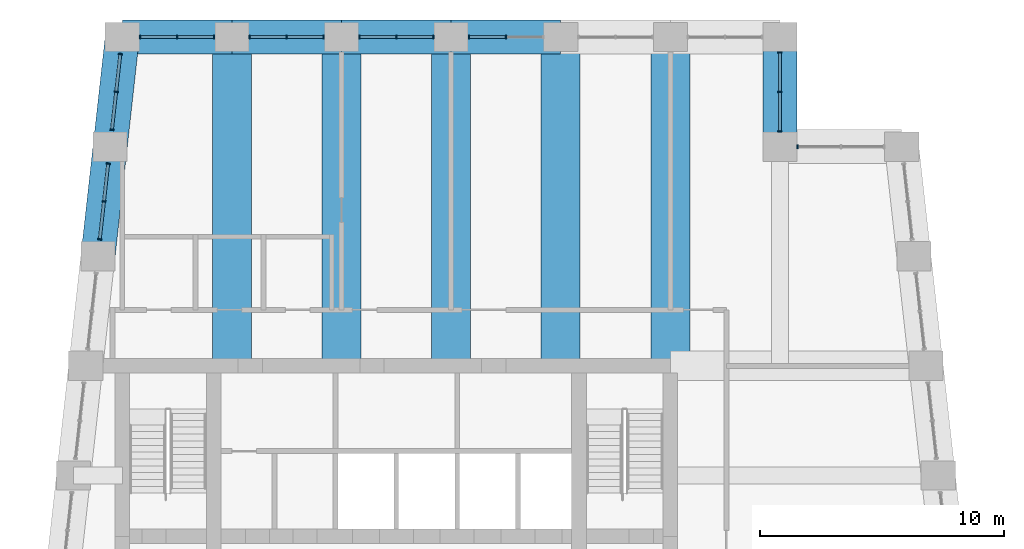
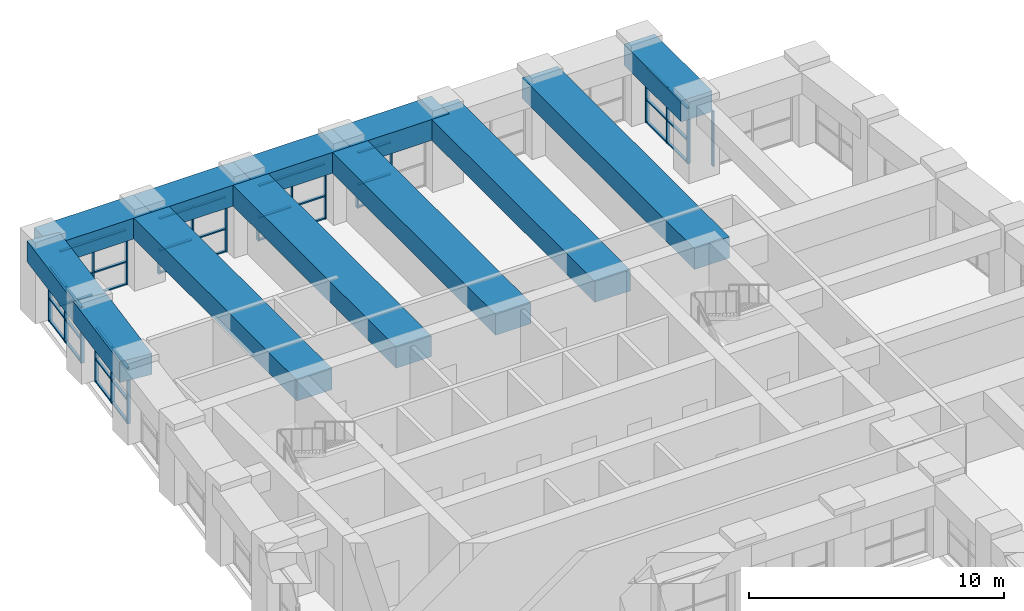
# One storey, part 8 of 15: 60 members, 12 beams, 8 elements without a shape of their own.
"""IFC4 building model written with IfcOpenShell, lengths in metres."""

from ifc_helpers import new_model, si_unit, direction, frame, origin, origin_2d, place, context, subcontext, project, spatial, rectangle, extrude, material, material_profile, profile_set, type_object, element, aggregate, save


model = new_model("IFC4")

# Units and contexts
model_context = context("Model", 3, precision=1e-05, world=origin(), true_north=direction((0.0, 1.0)))
body_context = subcontext(model_context, "Body", "Model", "MODEL_VIEW")
ifc_project = project(units=[si_unit("LENGTHUNIT", "METRE"), si_unit("AREAUNIT", "SQUARE_METRE"), si_unit("VOLUMEUNIT", "CUBIC_METRE"), si_unit("PLANEANGLEUNIT", "RADIAN"), si_unit("MASSUNIT", "GRAM", prefix="KILO")], contexts=[model_context])

# Site, building, storey
site_placement = place(None, origin())
site = spatial("IfcSite", under=ifc_project, at=site_placement, CompositionType="ELEMENT")
building_placement = place(site_placement, origin())
building = spatial("IfcBuilding", under=site, at=building_placement, Name="Kilele Tower Hotel", CompositionType="ELEMENT")
storey_placement = place(building_placement, frame((0.0, 0.0, 285.800048828125)))
storey = spatial("IfcBuildingStorey", under=building, at=storey_placement, Name="L73", CompositionType="ELEMENT", Elevation=285.800048828125)

# Beams
ifc_material_1 = material(Name="Concrete C60/75", Category="concrete")
ifc_material_profile_1 = material_profile(ifc_material_1, rectangle(XDim=1.60009765625, YDim=1.0, at=origin_2d()))
ifc_profile_set_1 = profile_set([ifc_material_profile_1], Name="Concrete C60/75")
beam_type_1 = type_object("IfcBeamType", Name="Beam RC 1600x1000 C60/75", PredefinedType="BEAM", material=ifc_profile_set_1)
for number, where, z_axis, x_axis, name in (
    (1, (36.0, 40.5, 3.099853515625), (0.0, -1.0, 0.0), (1.0, 0.0, 0.0), "Beam BC1 level CROWN"),
    (2, (31.5, 40.5, 3.099853515625), (0.0, -1.0, 0.0), (1.0, 0.0, 0.0), "Beam BC1 level CROWN"),
    (3, (27.0, 40.5, 3.099853515625), (0.0, -1.0, 0.0), (1.0, 0.0, 0.0), "Beam BC1 level CROWN"),
    (4, (22.5, 40.5, 3.099853515625), (0.0, -1.0, 0.0), (1.0, 0.0, 0.0), "Beam BC1 level CROWN"),
    (5, (18.0, 40.5, 3.099853515625), (0.0, -1.0, 0.0), (1.0, 0.0, 0.0), "Beam BC1 level CROWN"),
):
    element("IfcBeam", number, at=place(storey_placement, frame(where, z_axis=z_axis, x_axis=x_axis)), inside=storey, type_object=beam_type_1, Name=name, PredefinedType="BEAM", context=body_context, shape_type="SweptSolid", body=[
        extrude(rectangle(XDim=1.60009765625, YDim=1.0, at=origin_2d()), origin(), (0.0, 0.0, 1.0), 13.5),
    ])

# Curtain wall, member
ifc_material_2 = material(Name="Aluminium curtain wall, clear double glazing", Category="aluminium")
curtain_wall_type = type_object("IfcCurtainWallType", Name="Sky bar curtain wall CW-6", PredefinedType="NOTDEFINED", material=ifc_material_2)
curtain_wall_1_placement = place(storey_placement, origin())
curtain_wall_1 = element("IfcCurtainWall", 6, at=curtain_wall_1_placement, inside=storey, type_object=curtain_wall_type, Name="Sky bar curtain wall CW-6 L73", PredefinedType="NOTDEFINED")
ifc_material_3 = material(Name="Aluminium EN AW-6063 T6", Category="aluminium")
ifc_material_profile_2 = material_profile(ifc_material_3, rectangle(XDim=0.159912109375, YDim=0.06005859375, at=origin_2d()))
ifc_profile_set_2 = profile_set([ifc_material_profile_2], Name="Aluminium EN AW-6063 T6")
member_type_1 = type_object("IfcMemberType", Name="Mullion 60x160 CW-6", PredefinedType="MULLION", material=ifc_profile_set_2)
member_1_placement = place(storey_placement, frame((41.22998046875, 36.0, 0.0), z_axis=(0.0, 0.0, 1.0), x_axis=(0.0, -1.0, 0.0)))
member_1 = element("IfcMember", 7, at=member_1_placement, type_object=member_type_1, Name="CW-6 mullion 3", PredefinedType="MULLION", context=body_context, shape_type="SweptSolid", body=[
    extrude(rectangle(XDim=0.159912109375, YDim=0.06005859375, at=origin_2d()), origin(), (0.0, 0.0, 1.0), 2.64990234375),
])
aggregate(curtain_wall_1, [member_1])

# Curtain wall, members
curtain_wall_2_placement = place(storey_placement, origin())
curtain_wall_2 = element("IfcCurtainWall", 8, at=curtain_wall_2_placement, inside=storey, type_object=curtain_wall_type, Name="Sky bar curtain wall CW-6 L73", PredefinedType="NOTDEFINED")
member_2_placement = place(storey_placement, frame((40.5, 36.6298828125, 0.0), z_axis=(0.0, 0.0, 1.0), x_axis=(-1.0, 0.0, 0.0)))
member_2 = element("IfcMember", 9, at=member_2_placement, type_object=member_type_1, Name="CW-6 mullion 1", PredefinedType="MULLION", context=body_context, shape_type="SweptSolid", body=[
    extrude(rectangle(XDim=0.159912109375, YDim=0.06005859375, at=origin_2d()), origin(), (0.0, 0.0, 1.0), 2.64990234375),
])
member_3_placement = place(storey_placement, frame((40.5, 38.25, 0.0), z_axis=(0.0, 0.0, 1.0), x_axis=(-1.0, 0.0, 0.0)))
member_3 = element("IfcMember", 10, at=member_3_placement, type_object=member_type_1, Name="CW-6 mullion 2", PredefinedType="MULLION", context=body_context, shape_type="SweptSolid", body=[
    extrude(rectangle(XDim=0.159912109375, YDim=0.06005859375, at=origin_2d()), origin(), (0.0, 0.0, 1.0), 2.64990234375),
])
member_4_placement = place(storey_placement, frame((40.5, 39.8701171875, 0.0), z_axis=(0.0, 0.0, 1.0), x_axis=(-1.0, 0.0, 0.0)))
member_4 = element("IfcMember", 11, at=member_4_placement, type_object=member_type_1, Name="CW-6 mullion 3", PredefinedType="MULLION", context=body_context, shape_type="SweptSolid", body=[
    extrude(rectangle(XDim=0.159912109375, YDim=0.06005859375, at=origin_2d()), origin(), (0.0, 0.0, 1.0), 2.64990234375),
])

curtain_wall_3_placement = place(storey_placement, origin())
curtain_wall_3 = element("IfcCurtainWall", 12, at=curtain_wall_3_placement, inside=storey, type_object=curtain_wall_type, Name="Sky bar curtain wall CW-6 L73", PredefinedType="NOTDEFINED")
member_5_placement = place(storey_placement, frame((29.25, 40.5, 0.0), z_axis=(0.0, 0.0, 1.0), x_axis=(0.0, -1.0, 0.0)))
member_5 = element("IfcMember", 13, at=member_5_placement, type_object=member_type_1, Name="CW-6 mullion 2", PredefinedType="MULLION", context=body_context, shape_type="SweptSolid", body=[
    extrude(rectangle(XDim=0.159912109375, YDim=0.06005859375, at=origin_2d()), origin(), (0.0, 0.0, 1.0), 2.64990234375),
])
member_6_placement = place(storey_placement, frame((27.72998046875, 40.5, 0.0), z_axis=(0.0, 0.0, 1.0), x_axis=(0.0, -1.0, 0.0)))
member_6 = element("IfcMember", 14, at=member_6_placement, type_object=member_type_1, Name="CW-6 mullion 3", PredefinedType="MULLION", context=body_context, shape_type="SweptSolid", body=[
    extrude(rectangle(XDim=0.159912109375, YDim=0.06005859375, at=origin_2d()), origin(), (0.0, 0.0, 1.0), 2.64990234375),
])

curtain_wall_4_placement = place(storey_placement, origin())
curtain_wall_4 = element("IfcCurtainWall", 15, at=curtain_wall_4_placement, inside=storey, type_object=curtain_wall_type, Name="Sky bar curtain wall CW-6 L73", PredefinedType="NOTDEFINED")
member_7_placement = place(storey_placement, frame((26.27001953125, 40.5, 0.0), z_axis=(0.0, 0.0, 1.0), x_axis=(0.0, -1.0, 0.0)))
member_7 = element("IfcMember", 16, at=member_7_placement, type_object=member_type_1, Name="CW-6 mullion 1", PredefinedType="MULLION", context=body_context, shape_type="SweptSolid", body=[
    extrude(rectangle(XDim=0.159912109375, YDim=0.06005859375, at=origin_2d()), origin(), (0.0, 0.0, 1.0), 2.64990234375),
])
member_8_placement = place(storey_placement, frame((24.75, 40.5, 0.0), z_axis=(0.0, 0.0, 1.0), x_axis=(0.0, -1.0, 0.0)))
member_8 = element("IfcMember", 17, at=member_8_placement, type_object=member_type_1, Name="CW-6 mullion 2", PredefinedType="MULLION", context=body_context, shape_type="SweptSolid", body=[
    extrude(rectangle(XDim=0.159912109375, YDim=0.06005859375, at=origin_2d()), origin(), (0.0, 0.0, 1.0), 2.64990234375),
])
member_9_placement = place(storey_placement, frame((23.22998046875, 40.5, 0.0), z_axis=(0.0, 0.0, 1.0), x_axis=(0.0, -1.0, 0.0)))
member_9 = element("IfcMember", 18, at=member_9_placement, type_object=member_type_1, Name="CW-6 mullion 3", PredefinedType="MULLION", context=body_context, shape_type="SweptSolid", body=[
    extrude(rectangle(XDim=0.159912109375, YDim=0.06005859375, at=origin_2d()), origin(), (0.0, 0.0, 1.0), 2.64990234375),
])

curtain_wall_5_placement = place(storey_placement, origin())
curtain_wall_5 = element("IfcCurtainWall", 19, at=curtain_wall_5_placement, inside=storey, type_object=curtain_wall_type, Name="Sky bar curtain wall CW-6 L73", PredefinedType="NOTDEFINED")
member_10_placement = place(storey_placement, frame((21.77001953125, 40.5, 0.0), z_axis=(0.0, 0.0, 1.0), x_axis=(0.0, -1.0, 0.0)))
member_10 = element("IfcMember", 20, at=member_10_placement, type_object=member_type_1, Name="CW-6 mullion 1", PredefinedType="MULLION", context=body_context, shape_type="SweptSolid", body=[
    extrude(rectangle(XDim=0.159912109375, YDim=0.06005859375, at=origin_2d()), origin(), (0.0, 0.0, 1.0), 2.64990234375),
])
member_11_placement = place(storey_placement, frame((20.25, 40.5, 0.0), z_axis=(0.0, 0.0, 1.0), x_axis=(0.0, -1.0, 0.0)))
member_11 = element("IfcMember", 21, at=member_11_placement, type_object=member_type_1, Name="CW-6 mullion 2", PredefinedType="MULLION", context=body_context, shape_type="SweptSolid", body=[
    extrude(rectangle(XDim=0.159912109375, YDim=0.06005859375, at=origin_2d()), origin(), (0.0, 0.0, 1.0), 2.64990234375),
])
member_12_placement = place(storey_placement, frame((18.72998046875, 40.5, 0.0), z_axis=(0.0, 0.0, 1.0), x_axis=(0.0, -1.0, 0.0)))
member_12 = element("IfcMember", 22, at=member_12_placement, type_object=member_type_1, Name="CW-6 mullion 3", PredefinedType="MULLION", context=body_context, shape_type="SweptSolid", body=[
    extrude(rectangle(XDim=0.159912109375, YDim=0.06005859375, at=origin_2d()), origin(), (0.0, 0.0, 1.0), 2.64990234375),
])

curtain_wall_6_placement = place(storey_placement, origin())
curtain_wall_6 = element("IfcCurtainWall", 23, at=curtain_wall_6_placement, inside=storey, type_object=curtain_wall_type, Name="Sky bar curtain wall CW-6 L73", PredefinedType="NOTDEFINED")
member_13_placement = place(storey_placement, frame((17.27001953125, 40.5, 0.0), z_axis=(0.0, 0.0, 1.0), x_axis=(0.0, -1.0, 0.0)))
member_13 = element("IfcMember", 24, at=member_13_placement, type_object=member_type_1, Name="CW-6 mullion 1", PredefinedType="MULLION", context=body_context, shape_type="SweptSolid", body=[
    extrude(rectangle(XDim=0.159912109375, YDim=0.06005859375, at=origin_2d()), origin(), (0.0, 0.0, 1.0), 2.64990234375),
])
member_14_placement = place(storey_placement, frame((15.75, 40.5, 0.0), z_axis=(0.0, 0.0, 1.0), x_axis=(0.0, -1.0, 0.0)))
member_14 = element("IfcMember", 25, at=member_14_placement, type_object=member_type_1, Name="CW-6 mullion 2", PredefinedType="MULLION", context=body_context, shape_type="SweptSolid", body=[
    extrude(rectangle(XDim=0.159912109375, YDim=0.06005859375, at=origin_2d()), origin(), (0.0, 0.0, 1.0), 2.64990234375),
])
member_15_placement = place(storey_placement, frame((14.22998046875, 40.5, 0.0), z_axis=(0.0, 0.0, 1.0), x_axis=(0.0, -1.0, 0.0)))
member_15 = element("IfcMember", 26, at=member_15_placement, type_object=member_type_1, Name="CW-6 mullion 3", PredefinedType="MULLION", context=body_context, shape_type="SweptSolid", body=[
    extrude(rectangle(XDim=0.159912109375, YDim=0.06005859375, at=origin_2d()), origin(), (0.0, 0.0, 1.0), 2.64990234375),
])

curtain_wall_7_placement = place(storey_placement, origin())
curtain_wall_7 = element("IfcCurtainWall", 27, at=curtain_wall_7_placement, inside=storey, type_object=curtain_wall_type, Name="Sky bar curtain wall CW-6 L73", PredefinedType="NOTDEFINED")
member_16_placement = place(storey_placement, frame((13.42236328125, 39.80078125, 0.0), z_axis=(0.0, 0.0, 1.0), x_axis=(0.993883734681, -0.110431526007, 0.0)))
member_16 = element("IfcMember", 28, at=member_16_placement, type_object=member_type_1, Name="CW-6 mullion 1", PredefinedType="MULLION", context=body_context, shape_type="SweptSolid", body=[
    extrude(rectangle(XDim=0.159912109375, YDim=0.06005859375, at=origin_2d()), origin(), (0.0, 0.0, 1.0), 2.64990234375),
])
member_17_placement = place(storey_placement, frame((13.25, 38.25, 0.0), z_axis=(0.0, 0.0, 1.0), x_axis=(0.993883734681, -0.110431526007, 0.0)))
member_17 = element("IfcMember", 29, at=member_17_placement, type_object=member_type_1, Name="CW-6 mullion 2", PredefinedType="MULLION", context=body_context, shape_type="SweptSolid", body=[
    extrude(rectangle(XDim=0.159912109375, YDim=0.06005859375, at=origin_2d()), origin(), (0.0, 0.0, 1.0), 2.64990234375),
])
member_18_placement = place(storey_placement, frame((13.07763671875, 36.69921875, 0.0), z_axis=(0.0, 0.0, 1.0), x_axis=(0.993883734681, -0.110431526007, 0.0)))
member_18 = element("IfcMember", 30, at=member_18_placement, type_object=member_type_1, Name="CW-6 mullion 3", PredefinedType="MULLION", context=body_context, shape_type="SweptSolid", body=[
    extrude(rectangle(XDim=0.159912109375, YDim=0.06005859375, at=origin_2d()), origin(), (0.0, 0.0, 1.0), 2.64990234375),
])

curtain_wall_8_placement = place(storey_placement, origin())
curtain_wall_8 = element("IfcCurtainWall", 31, at=curtain_wall_8_placement, inside=storey, type_object=curtain_wall_type, Name="Sky bar curtain wall CW-6 L73", PredefinedType="NOTDEFINED")
member_19_placement = place(storey_placement, frame((12.92236328125, 35.30078125, 0.0), z_axis=(0.0, 0.0, 1.0), x_axis=(0.993883734681, -0.110431526007, 0.0)))
member_19 = element("IfcMember", 32, at=member_19_placement, type_object=member_type_1, Name="CW-6 mullion 1", PredefinedType="MULLION", context=body_context, shape_type="SweptSolid", body=[
    extrude(rectangle(XDim=0.159912109375, YDim=0.06005859375, at=origin_2d()), origin(), (0.0, 0.0, 1.0), 2.64990234375),
])
member_20_placement = place(storey_placement, frame((12.75, 33.75, 0.0), z_axis=(0.0, 0.0, 1.0), x_axis=(0.993883734681, -0.110431526007, 0.0)))
member_20 = element("IfcMember", 33, at=member_20_placement, type_object=member_type_1, Name="CW-6 mullion 2", PredefinedType="MULLION", context=body_context, shape_type="SweptSolid", body=[
    extrude(rectangle(XDim=0.159912109375, YDim=0.06005859375, at=origin_2d()), origin(), (0.0, 0.0, 1.0), 2.64990234375),
])
member_21_placement = place(storey_placement, frame((12.57763671875, 32.19921875, 0.0), z_axis=(0.0, 0.0, 1.0), x_axis=(0.993883734681, -0.110431526007, 0.0)))
member_21 = element("IfcMember", 34, at=member_21_placement, type_object=member_type_1, Name="CW-6 mullion 3", PredefinedType="MULLION", context=body_context, shape_type="SweptSolid", body=[
    extrude(rectangle(XDim=0.159912109375, YDim=0.06005859375, at=origin_2d()), origin(), (0.0, 0.0, 1.0), 2.64990234375),
])

# Beams
ifc_material_4 = material(Name="Concrete C60/75", Category="concrete")
ifc_material_profile_3 = material_profile(ifc_material_4, rectangle(XDim=1.39990234375, YDim=1.0, at=origin_2d()))
ifc_profile_set_3 = profile_set([ifc_material_profile_3], Name="Concrete C60/75")
beam_type_2 = type_object("IfcBeamType", Name="Spandrel RC 1400x1000 C60/75", PredefinedType="SPANDREL", material=ifc_profile_set_3)
for number, where, z_axis, x_axis, name in (
    (35, (40.5, 36.0, 3.099853515625), (0.0, 1.0, 0.0), (-1.0, 0.0, 0.0), "Spandrel SP1 level CROWN"),
    (36, (31.5, 40.5, 3.099853515625), (-1.0, 0.0, 0.0), (0.0, -1.0, 0.0), "Spandrel SP1 level CROWN"),
    (37, (27.0, 40.5, 3.099853515625), (-1.0, 0.0, 0.0), (0.0, -1.0, 0.0), "Spandrel SP1 level CROWN"),
    (38, (22.5, 40.5, 3.099853515625), (-1.0, 0.0, 0.0), (0.0, -1.0, 0.0), "Spandrel SP1 level CROWN"),
    (39, (18.0, 40.5, 3.099853515625), (-1.0, 0.0, 0.0), (0.0, -1.0, 0.0), "Spandrel SP1 level CROWN"),
):
    element("IfcBeam", number, at=place(storey_placement, frame(where, z_axis=z_axis, x_axis=x_axis)), inside=storey, type_object=beam_type_2, Name=name, PredefinedType="SPANDREL", context=body_context, shape_type="SweptSolid", body=[
        extrude(rectangle(XDim=1.39990234375, YDim=1.0, at=origin_2d()), origin(), (0.0, 0.0, 1.0), 4.5),
    ])
for number, where, z_axis, x_axis, name in (
    (40, (13.5, 40.5, 3.099853515625), (-0.110431526075, -0.993883734674, 0.0), (0.993883734674, -0.110431526075, 0.0), "Spandrel SP1 level CROWN"),
    (41, (13.0, 36.0, 3.099853515625), (-0.110431526075, -0.993883734674, 0.0), (0.993883734674, -0.110431526075, 0.0), "Spandrel SP1 level CROWN"),
):
    element("IfcBeam", number, at=place(storey_placement, frame(where, z_axis=z_axis, x_axis=x_axis)), inside=storey, type_object=beam_type_2, Name=name, PredefinedType="SPANDREL", context=body_context, shape_type="SweptSolid", body=[
        extrude(rectangle(XDim=1.39990234375, YDim=1.0, at=origin_2d()), origin(), (0.0, 0.0, 1.0), 4.527587890625),
    ])

# Member
ifc_material_5 = material(Name="Aluminium EN AW-6063 T6", Category="aluminium")
ifc_material_profile_4 = material_profile(ifc_material_5, rectangle(XDim=0.1201171875, YDim=0.06005859375, at=origin_2d()))
ifc_profile_set_4 = profile_set([ifc_material_profile_4], Name="Aluminium EN AW-6063 T6")
member_type_2 = type_object("IfcMemberType", Name="Transom 60x120 CW-6", PredefinedType="USERDEFINED", material=ifc_profile_set_4)
member_22_placement = place(storey_placement, frame((40.5, 36.659912109375, 0.030029296875), z_axis=(0.0, 1.0, 0.0), x_axis=(-1.0, 0.0, 0.0)))
member_22 = element("IfcMember", 42, at=member_22_placement, type_object=member_type_2, Name="CW-6 transom 1.1", ObjectType="TRANSOM", PredefinedType="USERDEFINED", context=body_context, shape_type="SweptSolid", body=[
    extrude(rectangle(XDim=0.1201171875, YDim=0.06005859375, at=origin_2d()), origin(), (0.0, 0.0, 1.0), 1.56005859375),
])

member_23_placement = place(storey_placement, frame((40.5, 36.659912109375, 1.099853515625), z_axis=(0.0, 1.0, 0.0), x_axis=(-1.0, 0.0, 0.0)))
member_23 = element("IfcMember", 43, at=member_23_placement, type_object=member_type_2, Name="CW-6 transom 1.2", ObjectType="TRANSOM", PredefinedType="USERDEFINED", context=body_context, shape_type="SweptSolid", body=[
    extrude(rectangle(XDim=0.1201171875, YDim=0.06005859375, at=origin_2d()), origin(), (0.0, 0.0, 1.0), 1.56005859375),
])

member_24_placement = place(storey_placement, frame((40.5, 36.659912109375, 2.619873046875), z_axis=(0.0, 1.0, 0.0), x_axis=(-1.0, 0.0, 0.0)))
member_24 = element("IfcMember", 44, at=member_24_placement, type_object=member_type_2, Name="CW-6 transom 1.3", ObjectType="TRANSOM", PredefinedType="USERDEFINED", context=body_context, shape_type="SweptSolid", body=[
    extrude(rectangle(XDim=0.1201171875, YDim=0.06005859375, at=origin_2d()), origin(), (0.0, 0.0, 1.0), 1.56005859375),
])

member_25_placement = place(storey_placement, frame((40.5, 38.280029296875, 0.030029296875), z_axis=(0.0, 1.0, 0.0), x_axis=(-1.0, 0.0, 0.0)))
member_25 = element("IfcMember", 45, at=member_25_placement, type_object=member_type_2, Name="CW-6 transom 2.1", ObjectType="TRANSOM", PredefinedType="USERDEFINED", context=body_context, shape_type="SweptSolid", body=[
    extrude(rectangle(XDim=0.1201171875, YDim=0.06005859375, at=origin_2d()), origin(), (0.0, 0.0, 1.0), 1.56005859375),
])

member_26_placement = place(storey_placement, frame((40.5, 38.280029296875, 1.099853515625), z_axis=(0.0, 1.0, 0.0), x_axis=(-1.0, 0.0, 0.0)))
member_26 = element("IfcMember", 46, at=member_26_placement, type_object=member_type_2, Name="CW-6 transom 2.2", ObjectType="TRANSOM", PredefinedType="USERDEFINED", context=body_context, shape_type="SweptSolid", body=[
    extrude(rectangle(XDim=0.1201171875, YDim=0.06005859375, at=origin_2d()), origin(), (0.0, 0.0, 1.0), 1.56005859375),
])

member_27_placement = place(storey_placement, frame((40.5, 38.280029296875, 2.619873046875), z_axis=(0.0, 1.0, 0.0), x_axis=(-1.0, 0.0, 0.0)))
member_27 = element("IfcMember", 47, at=member_27_placement, type_object=member_type_2, Name="CW-6 transom 2.3", ObjectType="TRANSOM", PredefinedType="USERDEFINED", context=body_context, shape_type="SweptSolid", body=[
    extrude(rectangle(XDim=0.1201171875, YDim=0.06005859375, at=origin_2d()), origin(), (0.0, 0.0, 1.0), 1.56005859375),
])

aggregate(curtain_wall_2, [member_2, member_3, member_4, member_22, member_23, member_24, member_25, member_26, member_27])

member_28_placement = place(storey_placement, frame((29.219970703125, 40.5, 0.030029296875), z_axis=(-1.0, 0.0, 0.0), x_axis=(0.0, -1.0, 0.0)))
member_28 = element("IfcMember", 48, at=member_28_placement, type_object=member_type_2, Name="CW-6 transom 2.1", ObjectType="TRANSOM", PredefinedType="USERDEFINED", context=body_context, shape_type="SweptSolid", body=[
    extrude(rectangle(XDim=0.1201171875, YDim=0.06005859375, at=origin_2d()), origin(), (0.0, 0.0, 1.0), 1.4599609375),
])

member_29_placement = place(storey_placement, frame((29.219970703125, 40.5, 1.099853515625), z_axis=(-1.0, 0.0, 0.0), x_axis=(0.0, -1.0, 0.0)))
member_29 = element("IfcMember", 49, at=member_29_placement, type_object=member_type_2, Name="CW-6 transom 2.2", ObjectType="TRANSOM", PredefinedType="USERDEFINED", context=body_context, shape_type="SweptSolid", body=[
    extrude(rectangle(XDim=0.1201171875, YDim=0.06005859375, at=origin_2d()), origin(), (0.0, 0.0, 1.0), 1.4599609375),
])

member_30_placement = place(storey_placement, frame((29.219970703125, 40.5, 2.619873046875), z_axis=(-1.0, 0.0, 0.0), x_axis=(0.0, -1.0, 0.0)))
member_30 = element("IfcMember", 50, at=member_30_placement, type_object=member_type_2, Name="CW-6 transom 2.3", ObjectType="TRANSOM", PredefinedType="USERDEFINED", context=body_context, shape_type="SweptSolid", body=[
    extrude(rectangle(XDim=0.1201171875, YDim=0.06005859375, at=origin_2d()), origin(), (0.0, 0.0, 1.0), 1.4599609375),
])

aggregate(curtain_wall_3, [member_5, member_6, member_28, member_29, member_30])

member_31_placement = place(storey_placement, frame((26.239990234375, 40.5, 0.030029296875), z_axis=(-1.0, 0.0, 0.0), x_axis=(0.0, -1.0, 0.0)))
member_31 = element("IfcMember", 51, at=member_31_placement, type_object=member_type_2, Name="CW-6 transom 1.1", ObjectType="TRANSOM", PredefinedType="USERDEFINED", context=body_context, shape_type="SweptSolid", body=[
    extrude(rectangle(XDim=0.1201171875, YDim=0.06005859375, at=origin_2d()), origin(), (0.0, 0.0, 1.0), 1.4599609375),
])

member_32_placement = place(storey_placement, frame((26.239990234375, 40.5, 1.099853515625), z_axis=(-1.0, 0.0, 0.0), x_axis=(0.0, -1.0, 0.0)))
member_32 = element("IfcMember", 52, at=member_32_placement, type_object=member_type_2, Name="CW-6 transom 1.2", ObjectType="TRANSOM", PredefinedType="USERDEFINED", context=body_context, shape_type="SweptSolid", body=[
    extrude(rectangle(XDim=0.1201171875, YDim=0.06005859375, at=origin_2d()), origin(), (0.0, 0.0, 1.0), 1.4599609375),
])

member_33_placement = place(storey_placement, frame((26.239990234375, 40.5, 2.619873046875), z_axis=(-1.0, 0.0, 0.0), x_axis=(0.0, -1.0, 0.0)))
member_33 = element("IfcMember", 53, at=member_33_placement, type_object=member_type_2, Name="CW-6 transom 1.3", ObjectType="TRANSOM", PredefinedType="USERDEFINED", context=body_context, shape_type="SweptSolid", body=[
    extrude(rectangle(XDim=0.1201171875, YDim=0.06005859375, at=origin_2d()), origin(), (0.0, 0.0, 1.0), 1.4599609375),
])

member_34_placement = place(storey_placement, frame((24.719970703125, 40.5, 0.030029296875), z_axis=(-1.0, 0.0, 0.0), x_axis=(0.0, -1.0, 0.0)))
member_34 = element("IfcMember", 54, at=member_34_placement, type_object=member_type_2, Name="CW-6 transom 2.1", ObjectType="TRANSOM", PredefinedType="USERDEFINED", context=body_context, shape_type="SweptSolid", body=[
    extrude(rectangle(XDim=0.1201171875, YDim=0.06005859375, at=origin_2d()), origin(), (0.0, 0.0, 1.0), 1.4599609375),
])

member_35_placement = place(storey_placement, frame((24.719970703125, 40.5, 1.099853515625), z_axis=(-1.0, 0.0, 0.0), x_axis=(0.0, -1.0, 0.0)))
member_35 = element("IfcMember", 55, at=member_35_placement, type_object=member_type_2, Name="CW-6 transom 2.2", ObjectType="TRANSOM", PredefinedType="USERDEFINED", context=body_context, shape_type="SweptSolid", body=[
    extrude(rectangle(XDim=0.1201171875, YDim=0.06005859375, at=origin_2d()), origin(), (0.0, 0.0, 1.0), 1.4599609375),
])

member_36_placement = place(storey_placement, frame((24.719970703125, 40.5, 2.619873046875), z_axis=(-1.0, 0.0, 0.0), x_axis=(0.0, -1.0, 0.0)))
member_36 = element("IfcMember", 56, at=member_36_placement, type_object=member_type_2, Name="CW-6 transom 2.3", ObjectType="TRANSOM", PredefinedType="USERDEFINED", context=body_context, shape_type="SweptSolid", body=[
    extrude(rectangle(XDim=0.1201171875, YDim=0.06005859375, at=origin_2d()), origin(), (0.0, 0.0, 1.0), 1.4599609375),
])

aggregate(curtain_wall_4, [member_7, member_8, member_9, member_31, member_32, member_33, member_34, member_35, member_36])

member_37_placement = place(storey_placement, frame((21.739990234375, 40.5, 0.030029296875), z_axis=(-1.0, 0.0, 0.0), x_axis=(0.0, -1.0, 0.0)))
member_37 = element("IfcMember", 57, at=member_37_placement, type_object=member_type_2, Name="CW-6 transom 1.1", ObjectType="TRANSOM", PredefinedType="USERDEFINED", context=body_context, shape_type="SweptSolid", body=[
    extrude(rectangle(XDim=0.1201171875, YDim=0.06005859375, at=origin_2d()), origin(), (0.0, 0.0, 1.0), 1.4599609375),
])

member_38_placement = place(storey_placement, frame((21.739990234375, 40.5, 1.099853515625), z_axis=(-1.0, 0.0, 0.0), x_axis=(0.0, -1.0, 0.0)))
member_38 = element("IfcMember", 58, at=member_38_placement, type_object=member_type_2, Name="CW-6 transom 1.2", ObjectType="TRANSOM", PredefinedType="USERDEFINED", context=body_context, shape_type="SweptSolid", body=[
    extrude(rectangle(XDim=0.1201171875, YDim=0.06005859375, at=origin_2d()), origin(), (0.0, 0.0, 1.0), 1.4599609375),
])

member_39_placement = place(storey_placement, frame((21.739990234375, 40.5, 2.619873046875), z_axis=(-1.0, 0.0, 0.0), x_axis=(0.0, -1.0, 0.0)))
member_39 = element("IfcMember", 59, at=member_39_placement, type_object=member_type_2, Name="CW-6 transom 1.3", ObjectType="TRANSOM", PredefinedType="USERDEFINED", context=body_context, shape_type="SweptSolid", body=[
    extrude(rectangle(XDim=0.1201171875, YDim=0.06005859375, at=origin_2d()), origin(), (0.0, 0.0, 1.0), 1.4599609375),
])

member_40_placement = place(storey_placement, frame((20.219970703125, 40.5, 0.030029296875), z_axis=(-1.0, 0.0, 0.0), x_axis=(0.0, -1.0, 0.0)))
member_40 = element("IfcMember", 60, at=member_40_placement, type_object=member_type_2, Name="CW-6 transom 2.1", ObjectType="TRANSOM", PredefinedType="USERDEFINED", context=body_context, shape_type="SweptSolid", body=[
    extrude(rectangle(XDim=0.1201171875, YDim=0.06005859375, at=origin_2d()), origin(), (0.0, 0.0, 1.0), 1.4599609375),
])

member_41_placement = place(storey_placement, frame((20.219970703125, 40.5, 1.099853515625), z_axis=(-1.0, 0.0, 0.0), x_axis=(0.0, -1.0, 0.0)))
member_41 = element("IfcMember", 61, at=member_41_placement, type_object=member_type_2, Name="CW-6 transom 2.2", ObjectType="TRANSOM", PredefinedType="USERDEFINED", context=body_context, shape_type="SweptSolid", body=[
    extrude(rectangle(XDim=0.1201171875, YDim=0.06005859375, at=origin_2d()), origin(), (0.0, 0.0, 1.0), 1.4599609375),
])

member_42_placement = place(storey_placement, frame((20.219970703125, 40.5, 2.619873046875), z_axis=(-1.0, 0.0, 0.0), x_axis=(0.0, -1.0, 0.0)))
member_42 = element("IfcMember", 62, at=member_42_placement, type_object=member_type_2, Name="CW-6 transom 2.3", ObjectType="TRANSOM", PredefinedType="USERDEFINED", context=body_context, shape_type="SweptSolid", body=[
    extrude(rectangle(XDim=0.1201171875, YDim=0.06005859375, at=origin_2d()), origin(), (0.0, 0.0, 1.0), 1.4599609375),
])

aggregate(curtain_wall_5, [member_10, member_11, member_12, member_37, member_38, member_39, member_40, member_41, member_42])

member_43_placement = place(storey_placement, frame((17.239990234375, 40.5, 0.030029296875), z_axis=(-1.0, 0.0, 0.0), x_axis=(0.0, -1.0, 0.0)))
member_43 = element("IfcMember", 63, at=member_43_placement, type_object=member_type_2, Name="CW-6 transom 1.1", ObjectType="TRANSOM", PredefinedType="USERDEFINED", context=body_context, shape_type="SweptSolid", body=[
    extrude(rectangle(XDim=0.1201171875, YDim=0.06005859375, at=origin_2d()), origin(), (0.0, 0.0, 1.0), 1.4599609375),
])

member_44_placement = place(storey_placement, frame((17.239990234375, 40.5, 1.099853515625), z_axis=(-1.0, 0.0, 0.0), x_axis=(0.0, -1.0, 0.0)))
member_44 = element("IfcMember", 64, at=member_44_placement, type_object=member_type_2, Name="CW-6 transom 1.2", ObjectType="TRANSOM", PredefinedType="USERDEFINED", context=body_context, shape_type="SweptSolid", body=[
    extrude(rectangle(XDim=0.1201171875, YDim=0.06005859375, at=origin_2d()), origin(), (0.0, 0.0, 1.0), 1.4599609375),
])

member_45_placement = place(storey_placement, frame((17.239990234375, 40.5, 2.619873046875), z_axis=(-1.0, 0.0, 0.0), x_axis=(0.0, -1.0, 0.0)))
member_45 = element("IfcMember", 65, at=member_45_placement, type_object=member_type_2, Name="CW-6 transom 1.3", ObjectType="TRANSOM", PredefinedType="USERDEFINED", context=body_context, shape_type="SweptSolid", body=[
    extrude(rectangle(XDim=0.1201171875, YDim=0.06005859375, at=origin_2d()), origin(), (0.0, 0.0, 1.0), 1.4599609375),
])

member_46_placement = place(storey_placement, frame((15.719970703125, 40.5, 0.030029296875), z_axis=(-1.0, 0.0, 0.0), x_axis=(0.0, -1.0, 0.0)))
member_46 = element("IfcMember", 66, at=member_46_placement, type_object=member_type_2, Name="CW-6 transom 2.1", ObjectType="TRANSOM", PredefinedType="USERDEFINED", context=body_context, shape_type="SweptSolid", body=[
    extrude(rectangle(XDim=0.1201171875, YDim=0.06005859375, at=origin_2d()), origin(), (0.0, 0.0, 1.0), 1.4599609375),
])

member_47_placement = place(storey_placement, frame((15.719970703125, 40.5, 1.099853515625), z_axis=(-1.0, 0.0, 0.0), x_axis=(0.0, -1.0, 0.0)))
member_47 = element("IfcMember", 67, at=member_47_placement, type_object=member_type_2, Name="CW-6 transom 2.2", ObjectType="TRANSOM", PredefinedType="USERDEFINED", context=body_context, shape_type="SweptSolid", body=[
    extrude(rectangle(XDim=0.1201171875, YDim=0.06005859375, at=origin_2d()), origin(), (0.0, 0.0, 1.0), 1.4599609375),
])

member_48_placement = place(storey_placement, frame((15.719970703125, 40.5, 2.619873046875), z_axis=(-1.0, 0.0, 0.0), x_axis=(0.0, -1.0, 0.0)))
member_48 = element("IfcMember", 68, at=member_48_placement, type_object=member_type_2, Name="CW-6 transom 2.3", ObjectType="TRANSOM", PredefinedType="USERDEFINED", context=body_context, shape_type="SweptSolid", body=[
    extrude(rectangle(XDim=0.1201171875, YDim=0.06005859375, at=origin_2d()), origin(), (0.0, 0.0, 1.0), 1.4599609375),
])

aggregate(curtain_wall_6, [member_13, member_14, member_15, member_43, member_44, member_45, member_46, member_47, member_48])

member_49_placement = place(storey_placement, frame((13.4189453125, 39.770751953125, 0.030029296875), z_axis=(-0.110342213455, -0.993893654236, 0.0), x_axis=(0.993893654236, -0.110342213455, 0.0)))
member_49 = element("IfcMember", 69, at=member_49_placement, type_object=member_type_2, Name="CW-6 transom 1.1", ObjectType="TRANSOM", PredefinedType="USERDEFINED", context=body_context, shape_type="SweptSolid", body=[
    extrude(rectangle(XDim=0.1201171875, YDim=0.06005859375, at=origin_2d()), origin(), (0.0, 0.0, 1.0), 1.500244140625),
])

member_50_placement = place(storey_placement, frame((13.4189453125, 39.770751953125, 1.099853515625), z_axis=(-0.110342213455, -0.993893654236, 0.0), x_axis=(0.993893654236, -0.110342213455, 0.0)))
member_50 = element("IfcMember", 70, at=member_50_placement, type_object=member_type_2, Name="CW-6 transom 1.2", ObjectType="TRANSOM", PredefinedType="USERDEFINED", context=body_context, shape_type="SweptSolid", body=[
    extrude(rectangle(XDim=0.1201171875, YDim=0.06005859375, at=origin_2d()), origin(), (0.0, 0.0, 1.0), 1.500244140625),
])

member_51_placement = place(storey_placement, frame((13.4189453125, 39.770751953125, 2.619873046875), z_axis=(-0.110342213455, -0.993893654236, 0.0), x_axis=(0.993893654236, -0.110342213455, 0.0)))
member_51 = element("IfcMember", 71, at=member_51_placement, type_object=member_type_2, Name="CW-6 transom 1.3", ObjectType="TRANSOM", PredefinedType="USERDEFINED", context=body_context, shape_type="SweptSolid", body=[
    extrude(rectangle(XDim=0.1201171875, YDim=0.06005859375, at=origin_2d()), origin(), (0.0, 0.0, 1.0), 1.500244140625),
])

member_52_placement = place(storey_placement, frame((13.24658203125, 38.22021484375, 0.030029296875), z_axis=(-0.110342213455, -0.993893654236, 0.0), x_axis=(0.993893654236, -0.110342213455, 0.0)))
member_52 = element("IfcMember", 72, at=member_52_placement, type_object=member_type_2, Name="CW-6 transom 2.1", ObjectType="TRANSOM", PredefinedType="USERDEFINED", context=body_context, shape_type="SweptSolid", body=[
    extrude(rectangle(XDim=0.1201171875, YDim=0.06005859375, at=origin_2d()), origin(), (0.0, 0.0, 1.0), 1.500244140625),
])

member_53_placement = place(storey_placement, frame((13.24658203125, 38.22021484375, 1.099853515625), z_axis=(-0.110342213455, -0.993893654236, 0.0), x_axis=(0.993893654236, -0.110342213455, 0.0)))
member_53 = element("IfcMember", 73, at=member_53_placement, type_object=member_type_2, Name="CW-6 transom 2.2", ObjectType="TRANSOM", PredefinedType="USERDEFINED", context=body_context, shape_type="SweptSolid", body=[
    extrude(rectangle(XDim=0.1201171875, YDim=0.06005859375, at=origin_2d()), origin(), (0.0, 0.0, 1.0), 1.500244140625),
])

member_54_placement = place(storey_placement, frame((13.24658203125, 38.22021484375, 2.619873046875), z_axis=(-0.110342213455, -0.993893654236, 0.0), x_axis=(0.993893654236, -0.110342213455, 0.0)))
member_54 = element("IfcMember", 74, at=member_54_placement, type_object=member_type_2, Name="CW-6 transom 2.3", ObjectType="TRANSOM", PredefinedType="USERDEFINED", context=body_context, shape_type="SweptSolid", body=[
    extrude(rectangle(XDim=0.1201171875, YDim=0.06005859375, at=origin_2d()), origin(), (0.0, 0.0, 1.0), 1.500244140625),
])

aggregate(curtain_wall_7, [member_16, member_17, member_18, member_49, member_50, member_51, member_52, member_53, member_54])

member_55_placement = place(storey_placement, frame((12.9189453125, 35.270751953125, 0.030029296875), z_axis=(-0.110342213455, -0.993893654236, 0.0), x_axis=(0.993893654236, -0.110342213455, 0.0)))
member_55 = element("IfcMember", 75, at=member_55_placement, type_object=member_type_2, Name="CW-6 transom 1.1", ObjectType="TRANSOM", PredefinedType="USERDEFINED", context=body_context, shape_type="SweptSolid", body=[
    extrude(rectangle(XDim=0.1201171875, YDim=0.06005859375, at=origin_2d()), origin(), (0.0, 0.0, 1.0), 1.500244140625),
])

member_56_placement = place(storey_placement, frame((12.9189453125, 35.270751953125, 1.099853515625), z_axis=(-0.110342213455, -0.993893654236, 0.0), x_axis=(0.993893654236, -0.110342213455, 0.0)))
member_56 = element("IfcMember", 76, at=member_56_placement, type_object=member_type_2, Name="CW-6 transom 1.2", ObjectType="TRANSOM", PredefinedType="USERDEFINED", context=body_context, shape_type="SweptSolid", body=[
    extrude(rectangle(XDim=0.1201171875, YDim=0.06005859375, at=origin_2d()), origin(), (0.0, 0.0, 1.0), 1.500244140625),
])

member_57_placement = place(storey_placement, frame((12.9189453125, 35.270751953125, 2.619873046875), z_axis=(-0.110342213455, -0.993893654236, 0.0), x_axis=(0.993893654236, -0.110342213455, 0.0)))
member_57 = element("IfcMember", 77, at=member_57_placement, type_object=member_type_2, Name="CW-6 transom 1.3", ObjectType="TRANSOM", PredefinedType="USERDEFINED", context=body_context, shape_type="SweptSolid", body=[
    extrude(rectangle(XDim=0.1201171875, YDim=0.06005859375, at=origin_2d()), origin(), (0.0, 0.0, 1.0), 1.500244140625),
])

member_58_placement = place(storey_placement, frame((12.74658203125, 33.72021484375, 0.030029296875), z_axis=(-0.110342213455, -0.993893654236, 0.0), x_axis=(0.993893654236, -0.110342213455, 0.0)))
member_58 = element("IfcMember", 78, at=member_58_placement, type_object=member_type_2, Name="CW-6 transom 2.1", ObjectType="TRANSOM", PredefinedType="USERDEFINED", context=body_context, shape_type="SweptSolid", body=[
    extrude(rectangle(XDim=0.1201171875, YDim=0.06005859375, at=origin_2d()), origin(), (0.0, 0.0, 1.0), 1.500244140625),
])

member_59_placement = place(storey_placement, frame((12.74658203125, 33.72021484375, 1.099853515625), z_axis=(-0.110342213455, -0.993893654236, 0.0), x_axis=(0.993893654236, -0.110342213455, 0.0)))
member_59 = element("IfcMember", 79, at=member_59_placement, type_object=member_type_2, Name="CW-6 transom 2.2", ObjectType="TRANSOM", PredefinedType="USERDEFINED", context=body_context, shape_type="SweptSolid", body=[
    extrude(rectangle(XDim=0.1201171875, YDim=0.06005859375, at=origin_2d()), origin(), (0.0, 0.0, 1.0), 1.500244140625),
])

member_60_placement = place(storey_placement, frame((12.74658203125, 33.72021484375, 2.619873046875), z_axis=(-0.110342213455, -0.993893654236, 0.0), x_axis=(0.993893654236, -0.110342213455, 0.0)))
member_60 = element("IfcMember", 80, at=member_60_placement, type_object=member_type_2, Name="CW-6 transom 2.3", ObjectType="TRANSOM", PredefinedType="USERDEFINED", context=body_context, shape_type="SweptSolid", body=[
    extrude(rectangle(XDim=0.1201171875, YDim=0.06005859375, at=origin_2d()), origin(), (0.0, 0.0, 1.0), 1.500244140625),
])

aggregate(curtain_wall_8, [member_19, member_20, member_21, member_55, member_56, member_57, member_58, member_59, member_60])

save(model, "model.ifc")
